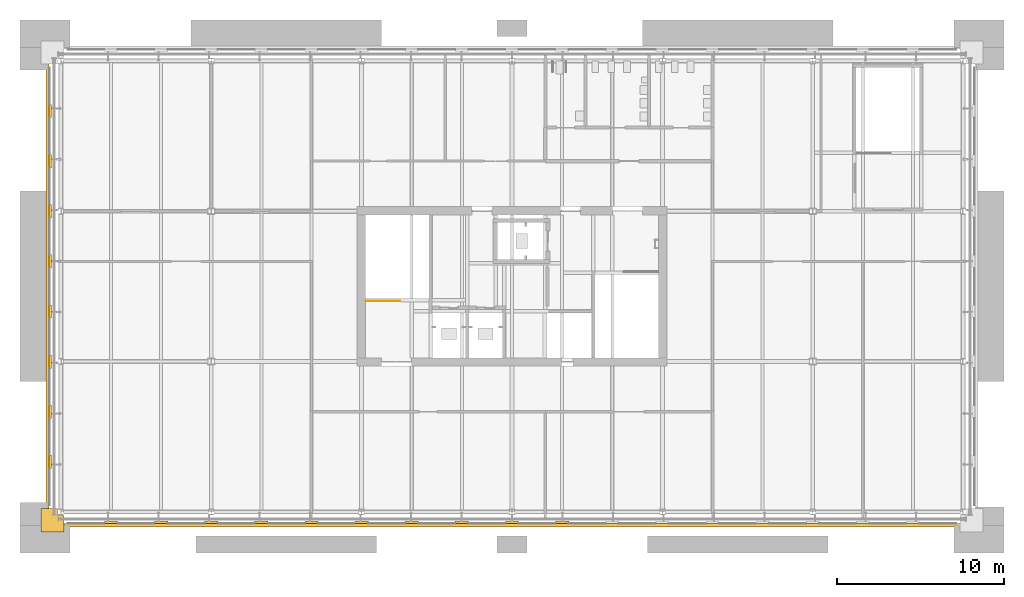
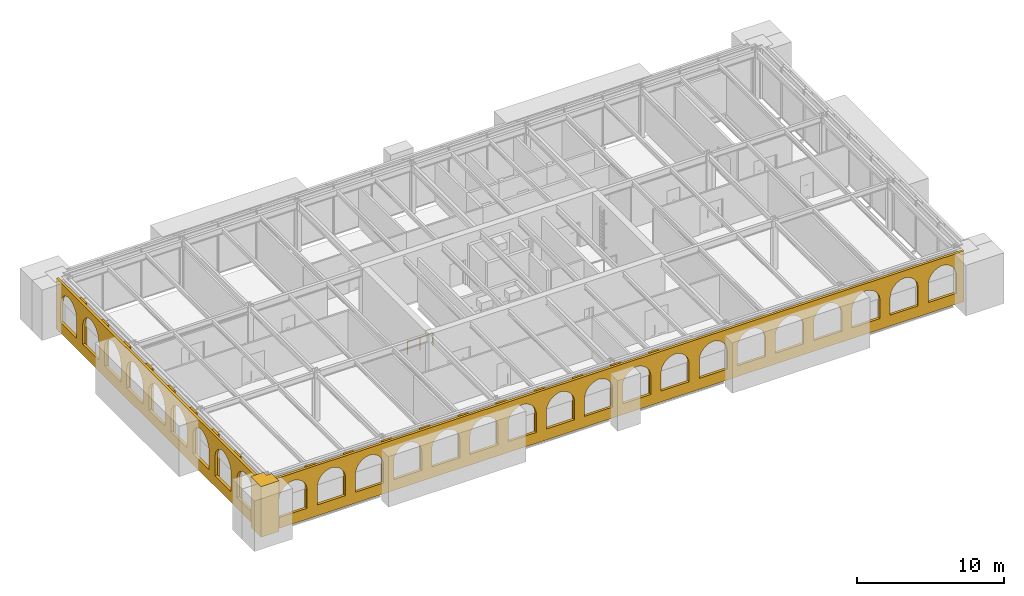
# One storey, part 21 of 24: 19 shading devices, 2 coverings, 1 railing.
"""IFC4 building model written with IfcOpenShell, lengths in metres."""

from ifc_helpers import new_model, si_unit, direction, frame, origin, origin_2d, place, context, subcontext, project, spatial, polyline, rectangle, circle, outline, extrude, material, layer, layer_set, type_object, element, save


model = new_model("IFC4")

# Units and contexts
model_context = context("Model", 3, precision=1e-05, world=origin(), true_north=direction((0.0, 1.0)))
body_context = subcontext(model_context, "Body", "Model", "MODEL_VIEW")
ifc_project = project(units=[si_unit("LENGTHUNIT", "METRE"), si_unit("AREAUNIT", "SQUARE_METRE"), si_unit("VOLUMEUNIT", "CUBIC_METRE"), si_unit("PLANEANGLEUNIT", "RADIAN"), si_unit("MASSUNIT", "GRAM", prefix="KILO")], contexts=[model_context])

# Site, building, storey
site_placement = place(None, origin())
site = spatial("IfcSite", under=ifc_project, at=site_placement, CompositionType="ELEMENT")
building_placement = place(site_placement, origin())
building = spatial("IfcBuilding", under=site, at=building_placement, Name="Baradari Gate Terminus", CompositionType="ELEMENT")
storey_placement = place(building_placement, frame((0.0, 0.0, 32.699951171875)))
storey = spatial("IfcBuildingStorey", under=building, at=storey_placement, Name="L07", CompositionType="ELEMENT", Elevation=32.699951171875)

# Railing
ifc_material_1 = material(Name="Stainless steel 1.4301", Category="steel")
railing_type = type_object("IfcRailingType", Name="Guard GR-1 1100", PredefinedType="GUARDRAIL", material=ifc_material_1)
railing_placement = place(storey_placement, frame((27.27490234375, 129.625, 0.0)))
element("IfcRailing", 1, at=railing_placement, inside=storey, type_object=railing_type, Name="Stair guard ST-T1 at L07 top landing", PredefinedType="GUARDRAIL", context=body_context, shape_type="SweptSolid", body=[
    extrude(circle(Radius=0.02392578125, at=origin_2d()), frame((0.0, 0.0, 1.076171875), z_axis=(1.0, 0.0, 0.0), x_axis=(0.0, 1.0, 0.0)), (0.0, 0.0, 1.0), 2.010009765625),
    extrude(circle(Radius=0.02099609375, at=origin_2d()), origin(), (0.0, 0.0, 1.0), 1.052001953125),
    extrude(circle(Radius=0.02099609375, at=origin_2d()), frame((1.0048828125, 0.0, 0.0)), (0.0, 0.0, 1.0), 1.052001953125),
    extrude(circle(Radius=0.02099609375, at=origin_2d()), frame((2.010009765625, 0.0, 0.0)), (0.0, 0.0, 1.0), 1.052001953125),
])

# Coverings
ifc_material_2 = material(Name="Light ochre laterite masonry", Category="masonry")
ifc_layer = layer(ifc_material_2, 0.199951171875)
ifc_layer_set = layer_set([ifc_layer], Name="Light ochre laterite masonry")
covering_type = type_object("IfcCoveringType", Name="Laterite arcade cladding LC-2 200", PredefinedType="CLADDING", material=ifc_layer_set)
covering_1_placement = place(storey_placement, frame((8.800048828125, 116.199951171875, 0.0), z_axis=(0.0, 0.0, 1.0), x_axis=(1.0, 0.0, 0.0)))
element("IfcCovering", 2, at=covering_1_placement, inside=storey, type_object=covering_type, Name="Laterite arcade cladding LC-2 L07 S face 1", PredefinedType="CLADDING", context=body_context, shape_type="SweptSolid", body=[
    extrude(outline(polyline([(0.0, 0.0), (54.39990234375, 0.0), (54.39990234375, 4.199951171875), (0.0, 4.199951171875), (0.0, 0.0)]), holes=[polyline([(0.681884765625, 2.836669921875), (0.744384765625, 2.971923828125), (0.822998046875, 3.09814453125), (0.91650390625, 3.2138671875), (1.023681640625, 3.317138671875), (1.142822265625, 3.406494140625), (1.272216796875, 3.48046875), (1.409423828125, 3.537841796875), (1.552734375, 3.577880859375), (1.699951171875, 3.60009765625), (1.84716796875, 3.577880859375), (1.990478515625, 3.537841796875), (2.1279296875, 3.48046875), (2.257080078125, 3.406494140625), (2.376220703125, 3.317138671875), (2.4833984375, 3.2138671875), (2.576904296875, 3.09814453125), (2.655517578125, 2.971923828125), (2.718017578125, 2.836669921875), (2.76318359375, 2.695068359375), (2.790771484375, 2.548583984375), (2.800048828125, 2.400146484375), (2.800048828125, 0.900146484375), (0.60009765625, 0.900146484375), (0.60009765625, 2.400146484375), (0.609130859375, 2.548583984375), (0.63671875, 2.695068359375), (0.681884765625, 2.836669921875)]), polyline([(3.681884765625, 2.836669921875), (3.744384765625, 2.971923828125), (3.822998046875, 3.09814453125), (3.91650390625, 3.2138671875), (4.023681640625, 3.317138671875), (4.142822265625, 3.406494140625), (4.272216796875, 3.48046875), (4.409423828125, 3.537841796875), (4.552734375, 3.577880859375), (4.699951171875, 3.60009765625), (4.84716796875, 3.577880859375), (4.990478515625, 3.537841796875), (5.1279296875, 3.48046875), (5.257080078125, 3.406494140625), (5.376220703125, 3.317138671875), (5.4833984375, 3.2138671875), (5.576904296875, 3.09814453125), (5.655517578125, 2.971923828125), (5.718017578125, 2.836669921875), (5.76318359375, 2.695068359375), (5.790771484375, 2.548583984375), (5.800048828125, 2.400146484375), (5.800048828125, 0.900146484375), (3.60009765625, 0.900146484375), (3.60009765625, 2.400146484375), (3.609130859375, 2.548583984375), (3.63671875, 2.695068359375), (3.681884765625, 2.836669921875)]), polyline([(6.681884765625, 2.836669921875), (6.744384765625, 2.971923828125), (6.822998046875, 3.09814453125), (6.91650390625, 3.2138671875), (7.023681640625, 3.317138671875), (7.142822265625, 3.406494140625), (7.272216796875, 3.48046875), (7.409423828125, 3.537841796875), (7.552734375, 3.577880859375), (7.699951171875, 3.60009765625), (7.84716796875, 3.577880859375), (7.990478515625, 3.537841796875), (8.1279296875, 3.48046875), (8.257080078125, 3.406494140625), (8.376220703125, 3.317138671875), (8.4833984375, 3.2138671875), (8.576904296875, 3.09814453125), (8.655517578125, 2.971923828125), (8.718017578125, 2.836669921875), (8.76318359375, 2.695068359375), (8.790771484375, 2.548583984375), (8.800048828125, 2.400146484375), (8.800048828125, 0.900146484375), (6.60009765625, 0.900146484375), (6.60009765625, 2.400146484375), (6.609130859375, 2.548583984375), (6.63671875, 2.695068359375), (6.681884765625, 2.836669921875)]), polyline([(9.681884765625, 2.836669921875), (9.744384765625, 2.971923828125), (9.822998046875, 3.09814453125), (9.91650390625, 3.2138671875), (10.023681640625, 3.317138671875), (10.142822265625, 3.406494140625), (10.272216796875, 3.48046875), (10.409423828125, 3.537841796875), (10.552734375, 3.577880859375), (10.699951171875, 3.60009765625), (10.84716796875, 3.577880859375), (10.990478515625, 3.537841796875), (11.1279296875, 3.48046875), (11.257080078125, 3.406494140625), (11.376220703125, 3.317138671875), (11.4833984375, 3.2138671875), (11.576904296875, 3.09814453125), (11.655517578125, 2.971923828125), (11.718017578125, 2.836669921875), (11.76318359375, 2.695068359375), (11.790771484375, 2.548583984375), (11.800048828125, 2.400146484375), (11.800048828125, 0.900146484375), (9.60009765625, 0.900146484375), (9.60009765625, 2.400146484375), (9.609130859375, 2.548583984375), (9.63671875, 2.695068359375), (9.681884765625, 2.836669921875)]), polyline([(12.681884765625, 2.836669921875), (12.744384765625, 2.971923828125), (12.822998046875, 3.09814453125), (12.91650390625, 3.2138671875), (13.023681640625, 3.317138671875), (13.142822265625, 3.406494140625), (13.272216796875, 3.48046875), (13.409423828125, 3.537841796875), (13.552734375, 3.577880859375), (13.699951171875, 3.60009765625), (13.84716796875, 3.577880859375), (13.990478515625, 3.537841796875), (14.1279296875, 3.48046875), (14.257080078125, 3.406494140625), (14.376220703125, 3.317138671875), (14.4833984375, 3.2138671875), (14.576904296875, 3.09814453125), (14.655517578125, 2.971923828125), (14.718017578125, 2.836669921875), (14.76318359375, 2.695068359375), (14.790771484375, 2.548583984375), (14.800048828125, 2.400146484375), (14.800048828125, 0.900146484375), (12.60009765625, 0.900146484375), (12.60009765625, 2.400146484375), (12.609130859375, 2.548583984375), (12.63671875, 2.695068359375), (12.681884765625, 2.836669921875)]), polyline([(15.681884765625, 2.836669921875), (15.744384765625, 2.971923828125), (15.822998046875, 3.09814453125), (15.91650390625, 3.2138671875), (16.023681640625, 3.317138671875), (16.142822265625, 3.406494140625), (16.272216796875, 3.48046875), (16.409423828125, 3.537841796875), (16.552734375, 3.577880859375), (16.699951171875, 3.60009765625), (16.84716796875, 3.577880859375), (16.990478515625, 3.537841796875), (17.1279296875, 3.48046875), (17.257080078125, 3.406494140625), (17.376220703125, 3.317138671875), (17.4833984375, 3.2138671875), (17.576904296875, 3.09814453125), (17.655517578125, 2.971923828125), (17.718017578125, 2.836669921875), (17.76318359375, 2.695068359375), (17.790771484375, 2.548583984375), (17.800048828125, 2.400146484375), (17.800048828125, 0.900146484375), (15.60009765625, 0.900146484375), (15.60009765625, 2.400146484375), (15.609130859375, 2.548583984375), (15.63671875, 2.695068359375), (15.681884765625, 2.836669921875)]), polyline([(18.681884765625, 2.836669921875), (18.744384765625, 2.971923828125), (18.822998046875, 3.09814453125), (18.91650390625, 3.2138671875), (19.023681640625, 3.317138671875), (19.142822265625, 3.406494140625), (19.272216796875, 3.48046875), (19.409423828125, 3.537841796875), (19.552734375, 3.577880859375), (19.699951171875, 3.60009765625), (19.84716796875, 3.577880859375), (19.990478515625, 3.537841796875), (20.1279296875, 3.48046875), (20.257080078125, 3.406494140625), (20.376220703125, 3.317138671875), (20.4833984375, 3.2138671875), (20.576904296875, 3.09814453125), (20.655517578125, 2.971923828125), (20.718017578125, 2.836669921875), (20.76318359375, 2.695068359375), (20.790771484375, 2.548583984375), (20.800048828125, 2.400146484375), (20.800048828125, 0.900146484375), (18.60009765625, 0.900146484375), (18.60009765625, 2.400146484375), (18.609130859375, 2.548583984375), (18.63671875, 2.695068359375), (18.681884765625, 2.836669921875)]), polyline([(21.744384765625, 2.971923828125), (21.822998046875, 3.09814453125), (21.91650390625, 3.2138671875), (22.023681640625, 3.317138671875), (22.142822265625, 3.406494140625), (22.272216796875, 3.48046875), (22.409423828125, 3.537841796875), (22.552734375, 3.577880859375), (22.699951171875, 3.60009765625), (22.84716796875, 3.577880859375), (22.990478515625, 3.537841796875), (23.1279296875, 3.48046875), (23.257080078125, 3.406494140625), (23.376220703125, 3.317138671875), (23.4833984375, 3.2138671875), (23.576904296875, 3.09814453125), (23.655517578125, 2.971923828125), (23.718017578125, 2.836669921875), (23.76318359375, 2.695068359375), (23.790771484375, 2.548583984375), (23.800048828125, 2.400146484375), (23.800048828125, 0.900146484375), (21.60009765625, 0.900146484375), (21.60009765625, 2.400146484375), (21.609130859375, 2.548583984375), (21.63671875, 2.695068359375), (21.681884765625, 2.836669921875), (21.744384765625, 2.971923828125)]), polyline([(24.744384765625, 2.971923828125), (24.822998046875, 3.09814453125), (24.91650390625, 3.2138671875), (25.023681640625, 3.317138671875), (25.142822265625, 3.406494140625), (25.272216796875, 3.48046875), (25.409423828125, 3.537841796875), (25.552734375, 3.577880859375), (25.699951171875, 3.60009765625), (25.84716796875, 3.577880859375), (25.990478515625, 3.537841796875), (26.1279296875, 3.48046875), (26.257080078125, 3.406494140625), (26.376220703125, 3.317138671875), (26.4833984375, 3.2138671875), (26.576904296875, 3.09814453125), (26.655517578125, 2.971923828125), (26.718017578125, 2.836669921875), (26.76318359375, 2.695068359375), (26.790771484375, 2.548583984375), (26.800048828125, 2.400146484375), (26.800048828125, 0.900146484375), (24.60009765625, 0.900146484375), (24.60009765625, 2.400146484375), (24.609130859375, 2.548583984375), (24.63671875, 2.695068359375), (24.681884765625, 2.836669921875), (24.744384765625, 2.971923828125)]), polyline([(27.681884765625, 2.836669921875), (27.744384765625, 2.971923828125), (27.822998046875, 3.09814453125), (27.91650390625, 3.2138671875), (28.023681640625, 3.317138671875), (28.142822265625, 3.406494140625), (28.272216796875, 3.48046875), (28.409423828125, 3.537841796875), (28.552734375, 3.577880859375), (28.699951171875, 3.60009765625), (28.84716796875, 3.577880859375), (28.990478515625, 3.537841796875), (29.1279296875, 3.48046875), (29.257080078125, 3.406494140625), (29.376220703125, 3.317138671875), (29.4833984375, 3.2138671875), (29.576904296875, 3.09814453125), (29.655517578125, 2.971923828125), (29.718017578125, 2.836669921875), (29.76318359375, 2.695068359375), (29.790771484375, 2.548583984375), (29.800048828125, 2.400146484375), (29.800048828125, 0.900146484375), (27.60009765625, 0.900146484375), (27.60009765625, 2.400146484375), (27.609130859375, 2.548583984375), (27.63671875, 2.695068359375), (27.681884765625, 2.836669921875)]), polyline([(30.681884765625, 2.836669921875), (30.744384765625, 2.971923828125), (30.822998046875, 3.09814453125), (30.91650390625, 3.2138671875), (31.023681640625, 3.317138671875), (31.142822265625, 3.406494140625), (31.272216796875, 3.48046875), (31.409423828125, 3.537841796875), (31.552734375, 3.577880859375), (31.699951171875, 3.60009765625), (31.84716796875, 3.577880859375), (31.990478515625, 3.537841796875), (32.1279296875, 3.48046875), (32.257080078125, 3.406494140625), (32.376220703125, 3.317138671875), (32.4833984375, 3.2138671875), (32.576904296875, 3.09814453125), (32.655517578125, 2.971923828125), (32.718017578125, 2.836669921875), (32.76318359375, 2.695068359375), (32.790771484375, 2.548583984375), (32.800048828125, 2.400146484375), (32.800048828125, 0.900146484375), (30.60009765625, 0.900146484375), (30.60009765625, 2.400146484375), (30.609130859375, 2.548583984375), (30.63671875, 2.695068359375), (30.681884765625, 2.836669921875)]), polyline([(33.681884765625, 2.836669921875), (33.744384765625, 2.971923828125), (33.822998046875, 3.09814453125), (33.91650390625, 3.2138671875), (34.023681640625, 3.317138671875), (34.142822265625, 3.406494140625), (34.272216796875, 3.48046875), (34.409423828125, 3.537841796875), (34.552734375, 3.577880859375), (34.699951171875, 3.60009765625), (34.84716796875, 3.577880859375), (34.990478515625, 3.537841796875), (35.1279296875, 3.48046875), (35.257080078125, 3.406494140625), (35.376220703125, 3.317138671875), (35.4833984375, 3.2138671875), (35.576904296875, 3.09814453125), (35.655517578125, 2.971923828125), (35.718017578125, 2.836669921875), (35.76318359375, 2.695068359375), (35.790771484375, 2.548583984375), (35.800048828125, 2.400146484375), (35.800048828125, 0.900146484375), (33.60009765625, 0.900146484375), (33.60009765625, 2.400146484375), (33.609130859375, 2.548583984375), (33.63671875, 2.695068359375), (33.681884765625, 2.836669921875)]), polyline([(36.681884765625, 2.836669921875), (36.744384765625, 2.971923828125), (36.822998046875, 3.09814453125), (36.91650390625, 3.2138671875), (37.023681640625, 3.317138671875), (37.142822265625, 3.406494140625), (37.272216796875, 3.48046875), (37.409423828125, 3.537841796875), (37.552734375, 3.577880859375), (37.699951171875, 3.60009765625), (37.84716796875, 3.577880859375), (37.990478515625, 3.537841796875), (38.1279296875, 3.48046875), (38.257080078125, 3.406494140625), (38.376220703125, 3.317138671875), (38.4833984375, 3.2138671875), (38.576904296875, 3.09814453125), (38.655517578125, 2.971923828125), (38.718017578125, 2.836669921875), (38.76318359375, 2.695068359375), (38.790771484375, 2.548583984375), (38.800048828125, 2.400146484375), (38.800048828125, 0.900146484375), (36.60009765625, 0.900146484375), (36.60009765625, 2.400146484375), (36.609130859375, 2.548583984375), (36.63671875, 2.695068359375), (36.681884765625, 2.836669921875)]), polyline([(39.681884765625, 2.836669921875), (39.744384765625, 2.971923828125), (39.822998046875, 3.09814453125), (39.91650390625, 3.2138671875), (40.023681640625, 3.317138671875), (40.142822265625, 3.406494140625), (40.272216796875, 3.48046875), (40.409423828125, 3.537841796875), (40.552734375, 3.577880859375), (40.699951171875, 3.60009765625), (40.84716796875, 3.577880859375), (40.990478515625, 3.537841796875), (41.1279296875, 3.48046875), (41.257080078125, 3.406494140625), (41.376220703125, 3.317138671875), (41.4833984375, 3.2138671875), (41.576904296875, 3.09814453125), (41.655517578125, 2.971923828125), (41.718017578125, 2.836669921875), (41.76318359375, 2.695068359375), (41.790771484375, 2.548583984375), (41.800048828125, 2.400146484375), (41.800048828125, 0.900146484375), (39.60009765625, 0.900146484375), (39.60009765625, 2.400146484375), (39.609130859375, 2.548583984375), (39.63671875, 2.695068359375), (39.681884765625, 2.836669921875)]), polyline([(42.681884765625, 2.836669921875), (42.744384765625, 2.971923828125), (42.822998046875, 3.09814453125), (42.91650390625, 3.2138671875), (43.023681640625, 3.317138671875), (43.142822265625, 3.406494140625), (43.272216796875, 3.48046875), (43.409423828125, 3.537841796875), (43.552734375, 3.577880859375), (43.699951171875, 3.60009765625), (43.84716796875, 3.577880859375), (43.990478515625, 3.537841796875), (44.1279296875, 3.48046875), (44.257080078125, 3.406494140625), (44.376220703125, 3.317138671875), (44.4833984375, 3.2138671875), (44.576904296875, 3.09814453125), (44.655517578125, 2.971923828125), (44.718017578125, 2.836669921875), (44.76318359375, 2.695068359375), (44.790771484375, 2.548583984375), (44.800048828125, 2.400146484375), (44.800048828125, 0.900146484375), (42.60009765625, 0.900146484375), (42.60009765625, 2.400146484375), (42.609130859375, 2.548583984375), (42.63671875, 2.695068359375), (42.681884765625, 2.836669921875)]), polyline([(45.681884765625, 2.836669921875), (45.744384765625, 2.971923828125), (45.822998046875, 3.09814453125), (45.91650390625, 3.2138671875), (46.023681640625, 3.317138671875), (46.142822265625, 3.406494140625), (46.272216796875, 3.48046875), (46.409423828125, 3.537841796875), (46.552734375, 3.577880859375), (46.699951171875, 3.60009765625), (46.84716796875, 3.577880859375), (46.990478515625, 3.537841796875), (47.1279296875, 3.48046875), (47.257080078125, 3.406494140625), (47.376220703125, 3.317138671875), (47.4833984375, 3.2138671875), (47.576904296875, 3.09814453125), (47.655517578125, 2.971923828125), (47.718017578125, 2.836669921875), (47.76318359375, 2.695068359375), (47.790771484375, 2.548583984375), (47.800048828125, 2.400146484375), (47.800048828125, 0.900146484375), (45.60009765625, 0.900146484375), (45.60009765625, 2.400146484375), (45.609130859375, 2.548583984375), (45.63671875, 2.695068359375), (45.681884765625, 2.836669921875)]), polyline([(48.744384765625, 2.971923828125), (48.822998046875, 3.09814453125), (48.91650390625, 3.2138671875), (49.023681640625, 3.317138671875), (49.142822265625, 3.406494140625), (49.272216796875, 3.48046875), (49.409423828125, 3.537841796875), (49.552734375, 3.577880859375), (49.699951171875, 3.60009765625), (49.84716796875, 3.577880859375), (49.990478515625, 3.537841796875), (50.1279296875, 3.48046875), (50.257080078125, 3.406494140625), (50.376220703125, 3.317138671875), (50.4833984375, 3.2138671875), (50.576904296875, 3.09814453125), (50.655517578125, 2.971923828125), (50.718017578125, 2.836669921875), (50.76318359375, 2.695068359375), (50.790771484375, 2.548583984375), (50.800048828125, 2.400146484375), (50.800048828125, 0.900146484375), (48.60009765625, 0.900146484375), (48.60009765625, 2.400146484375), (48.609130859375, 2.548583984375), (48.63671875, 2.695068359375), (48.681884765625, 2.836669921875), (48.744384765625, 2.971923828125)]), polyline([(51.744384765625, 2.971923828125), (51.822998046875, 3.09814453125), (51.91650390625, 3.2138671875), (52.023681640625, 3.317138671875), (52.142822265625, 3.406494140625), (52.272216796875, 3.48046875), (52.409423828125, 3.537841796875), (52.552734375, 3.577880859375), (52.699951171875, 3.60009765625), (52.84716796875, 3.577880859375), (52.990478515625, 3.537841796875), (53.1279296875, 3.48046875), (53.257080078125, 3.406494140625), (53.376220703125, 3.317138671875), (53.4833984375, 3.2138671875), (53.576904296875, 3.09814453125), (53.655517578125, 2.971923828125), (53.718017578125, 2.836669921875), (53.76318359375, 2.695068359375), (53.790771484375, 2.548583984375), (53.800048828125, 2.400146484375), (53.800048828125, 0.900146484375), (51.60009765625, 0.900146484375), (51.60009765625, 2.400146484375), (51.609130859375, 2.548583984375), (51.63671875, 2.695068359375), (51.681884765625, 2.836669921875), (51.744384765625, 2.971923828125)])]), frame((0.0, 0.10009765625, 0.0), z_axis=(0.0, -1.0, 0.0), x_axis=(1.0, 0.0, 0.0)), (0.0, 0.0, 1.0), 0.199951171875),
])
covering_2_placement = place(storey_placement, frame((8.199951171875, 144.199951171875, 0.0), z_axis=(0.0, 0.0, 1.0), x_axis=(0.0, -1.0, 0.0)))
element("IfcCovering", 3, at=covering_2_placement, inside=storey, type_object=covering_type, Name="Laterite arcade cladding LC-2 L07 W face 1", PredefinedType="CLADDING", context=body_context, shape_type="SweptSolid", body=[
    extrude(outline(polyline([(0.0, 0.0), (27.39990234375, 0.0), (27.39990234375, 4.199951171875), (0.0, 4.199951171875), (0.0, 0.0)]), holes=[polyline([(0.63671875, 2.695068359375), (0.681884765625, 2.836669921875), (0.744384765625, 2.971923828125), (0.822998046875, 3.09814453125), (0.91650390625, 3.2138671875), (1.023681640625, 3.317138671875), (1.142822265625, 3.406494140625), (1.272216796875, 3.48046875), (1.409423828125, 3.537841796875), (1.552734375, 3.577880859375), (1.699951171875, 3.60009765625), (1.84716796875, 3.577880859375), (1.990478515625, 3.537841796875), (2.1279296875, 3.48046875), (2.257080078125, 3.406494140625), (2.376220703125, 3.317138671875), (2.4833984375, 3.2138671875), (2.576904296875, 3.09814453125), (2.655517578125, 2.971923828125), (2.718017578125, 2.836669921875), (2.76318359375, 2.695068359375), (2.790771484375, 2.548583984375), (2.800048828125, 2.400146484375), (2.800048828125, 0.900146484375), (0.60009765625, 0.900146484375), (0.60009765625, 2.400146484375), (0.609130859375, 2.548583984375), (0.63671875, 2.695068359375)]), polyline([(3.63671875, 2.695068359375), (3.681884765625, 2.836669921875), (3.744384765625, 2.971923828125), (3.822998046875, 3.09814453125), (3.91650390625, 3.2138671875), (4.023681640625, 3.317138671875), (4.142822265625, 3.406494140625), (4.272216796875, 3.48046875), (4.409423828125, 3.537841796875), (4.552734375, 3.577880859375), (4.699951171875, 3.60009765625), (4.84716796875, 3.577880859375), (4.990478515625, 3.537841796875), (5.1279296875, 3.48046875), (5.257080078125, 3.406494140625), (5.376220703125, 3.317138671875), (5.4833984375, 3.2138671875), (5.576904296875, 3.09814453125), (5.655517578125, 2.971923828125), (5.718017578125, 2.836669921875), (5.76318359375, 2.695068359375), (5.790771484375, 2.548583984375), (5.800048828125, 2.400146484375), (5.800048828125, 0.900146484375), (3.60009765625, 0.900146484375), (3.60009765625, 2.400146484375), (3.609130859375, 2.548583984375), (3.63671875, 2.695068359375)]), polyline([(6.63671875, 2.695068359375), (6.681884765625, 2.836669921875), (6.744384765625, 2.971923828125), (6.822998046875, 3.09814453125), (6.91650390625, 3.2138671875), (7.023681640625, 3.317138671875), (7.142822265625, 3.406494140625), (7.272216796875, 3.48046875), (7.409423828125, 3.537841796875), (7.552734375, 3.577880859375), (7.699951171875, 3.60009765625), (7.84716796875, 3.577880859375), (7.990478515625, 3.537841796875), (8.1279296875, 3.48046875), (8.257080078125, 3.406494140625), (8.376220703125, 3.317138671875), (8.4833984375, 3.2138671875), (8.576904296875, 3.09814453125), (8.655517578125, 2.971923828125), (8.718017578125, 2.836669921875), (8.76318359375, 2.695068359375), (8.790771484375, 2.548583984375), (8.800048828125, 2.400146484375), (8.800048828125, 0.900146484375), (6.60009765625, 0.900146484375), (6.60009765625, 2.400146484375), (6.609130859375, 2.548583984375), (6.63671875, 2.695068359375)]), polyline([(9.63671875, 2.695068359375), (9.681884765625, 2.836669921875), (9.744384765625, 2.971923828125), (9.822998046875, 3.09814453125), (9.91650390625, 3.2138671875), (10.023681640625, 3.317138671875), (10.142822265625, 3.406494140625), (10.272216796875, 3.48046875), (10.409423828125, 3.537841796875), (10.552734375, 3.577880859375), (10.699951171875, 3.60009765625), (10.84716796875, 3.577880859375), (10.990478515625, 3.537841796875), (11.1279296875, 3.48046875), (11.257080078125, 3.406494140625), (11.376220703125, 3.317138671875), (11.4833984375, 3.2138671875), (11.576904296875, 3.09814453125), (11.655517578125, 2.971923828125), (11.718017578125, 2.836669921875), (11.76318359375, 2.695068359375), (11.790771484375, 2.548583984375), (11.800048828125, 2.400146484375), (11.800048828125, 0.900146484375), (9.60009765625, 0.900146484375), (9.60009765625, 2.400146484375), (9.609130859375, 2.548583984375), (9.63671875, 2.695068359375)]), polyline([(12.63671875, 2.695068359375), (12.681884765625, 2.836669921875), (12.744384765625, 2.971923828125), (12.822998046875, 3.09814453125), (12.91650390625, 3.2138671875), (13.023681640625, 3.317138671875), (13.142822265625, 3.406494140625), (13.272216796875, 3.48046875), (13.409423828125, 3.537841796875), (13.552734375, 3.577880859375), (13.699951171875, 3.60009765625), (13.84716796875, 3.577880859375), (13.990478515625, 3.537841796875), (14.1279296875, 3.48046875), (14.257080078125, 3.406494140625), (14.376220703125, 3.317138671875), (14.4833984375, 3.2138671875), (14.576904296875, 3.09814453125), (14.655517578125, 2.971923828125), (14.718017578125, 2.836669921875), (14.76318359375, 2.695068359375), (14.790771484375, 2.548583984375), (14.800048828125, 2.400146484375), (14.800048828125, 0.900146484375), (12.60009765625, 0.900146484375), (12.60009765625, 2.400146484375), (12.609130859375, 2.548583984375), (12.63671875, 2.695068359375)]), polyline([(15.63671875, 2.695068359375), (15.681884765625, 2.836669921875), (15.744384765625, 2.971923828125), (15.822998046875, 3.09814453125), (15.91650390625, 3.2138671875), (16.023681640625, 3.317138671875), (16.142822265625, 3.406494140625), (16.272216796875, 3.48046875), (16.409423828125, 3.537841796875), (16.552734375, 3.577880859375), (16.699951171875, 3.60009765625), (16.84716796875, 3.577880859375), (16.990478515625, 3.537841796875), (17.1279296875, 3.48046875), (17.257080078125, 3.406494140625), (17.376220703125, 3.317138671875), (17.4833984375, 3.2138671875), (17.576904296875, 3.09814453125), (17.655517578125, 2.971923828125), (17.718017578125, 2.836669921875), (17.76318359375, 2.695068359375), (17.790771484375, 2.548583984375), (17.800048828125, 2.400146484375), (17.800048828125, 0.900146484375), (15.60009765625, 0.900146484375), (15.60009765625, 2.400146484375), (15.609130859375, 2.548583984375), (15.63671875, 2.695068359375)]), polyline([(18.63671875, 2.695068359375), (18.681884765625, 2.836669921875), (18.744384765625, 2.971923828125), (18.822998046875, 3.09814453125), (18.91650390625, 3.2138671875), (19.023681640625, 3.317138671875), (19.142822265625, 3.406494140625), (19.272216796875, 3.48046875), (19.409423828125, 3.537841796875), (19.552734375, 3.577880859375), (19.699951171875, 3.60009765625), (19.84716796875, 3.577880859375), (19.990478515625, 3.537841796875), (20.1279296875, 3.48046875), (20.257080078125, 3.406494140625), (20.376220703125, 3.317138671875), (20.4833984375, 3.2138671875), (20.576904296875, 3.09814453125), (20.655517578125, 2.971923828125), (20.718017578125, 2.836669921875), (20.76318359375, 2.695068359375), (20.790771484375, 2.548583984375), (20.800048828125, 2.400146484375), (20.800048828125, 0.900146484375), (18.60009765625, 0.900146484375), (18.60009765625, 2.400146484375), (18.609130859375, 2.548583984375), (18.63671875, 2.695068359375)]), polyline([(21.681884765625, 2.836669921875), (21.744384765625, 2.971923828125), (21.822998046875, 3.09814453125), (21.91650390625, 3.2138671875), (22.023681640625, 3.317138671875), (22.142822265625, 3.406494140625), (22.272216796875, 3.48046875), (22.409423828125, 3.537841796875), (22.552734375, 3.577880859375), (22.699951171875, 3.60009765625), (22.84716796875, 3.577880859375), (22.990478515625, 3.537841796875), (23.1279296875, 3.48046875), (23.257080078125, 3.406494140625), (23.376220703125, 3.317138671875), (23.4833984375, 3.2138671875), (23.576904296875, 3.09814453125), (23.655517578125, 2.971923828125), (23.718017578125, 2.836669921875), (23.76318359375, 2.695068359375), (23.790771484375, 2.548583984375), (23.800048828125, 2.400146484375), (23.800048828125, 0.900146484375), (21.60009765625, 0.900146484375), (21.60009765625, 2.400146484375), (21.609130859375, 2.548583984375), (21.63671875, 2.695068359375), (21.681884765625, 2.836669921875)]), polyline([(24.681884765625, 2.836669921875), (24.744384765625, 2.971923828125), (24.822998046875, 3.09814453125), (24.91650390625, 3.2138671875), (25.023681640625, 3.317138671875), (25.142822265625, 3.406494140625), (25.272216796875, 3.48046875), (25.409423828125, 3.537841796875), (25.552734375, 3.577880859375), (25.699951171875, 3.60009765625), (25.84716796875, 3.577880859375), (25.990478515625, 3.537841796875), (26.1279296875, 3.48046875), (26.257080078125, 3.406494140625), (26.376220703125, 3.317138671875), (26.4833984375, 3.2138671875), (26.576904296875, 3.09814453125), (26.655517578125, 2.971923828125), (26.718017578125, 2.836669921875), (26.76318359375, 2.695068359375), (26.790771484375, 2.548583984375), (26.800048828125, 2.400146484375), (26.800048828125, 0.900146484375), (24.60009765625, 0.900146484375), (24.60009765625, 2.400146484375), (24.609130859375, 2.548583984375), (24.63671875, 2.695068359375), (24.681884765625, 2.836669921875)])]), frame((0.0, 0.10009765625, 0.0), z_axis=(0.0, -1.0, 0.0), x_axis=(1.0, 0.0, 0.0)), (0.0, 0.0, 1.0), 0.199951171875),
])

# Shading devices
ifc_material_3 = material(Name="Light ochre laterite masonry", Category="masonry")
shading_device_type_1 = type_object("IfcShadingDeviceType", Name="Laterite arcade pier TP-4 800x195", PredefinedType="SHUTTER", material=ifc_material_3)
for number, where, z_axis, x_axis, name in (
    (4, (12.0, 116.37744140625, 0.0), (0.0, 0.0, 1.0), (1.0, 0.0, 0.0), "Arcade pier TP-4 L07 S face"),
    (5, (15.0, 116.37744140625, 0.0), (0.0, 0.0, 1.0), (1.0, 0.0, 0.0), "Arcade pier TP-4 L07 S face"),
    (6, (18.0, 116.37744140625, 0.0), (0.0, 0.0, 1.0), (1.0, 0.0, 0.0), "Arcade pier TP-4 L07 S face"),
    (7, (21.0, 116.37744140625, 0.0), (0.0, 0.0, 1.0), (1.0, 0.0, 0.0), "Arcade pier TP-4 L07 S face"),
    (8, (24.0, 116.37744140625, 0.0), (0.0, 0.0, 1.0), (1.0, 0.0, 0.0), "Arcade pier TP-4 L07 S face"),
    (9, (27.0, 116.37744140625, 0.0), (0.0, 0.0, 1.0), (1.0, 0.0, 0.0), "Arcade pier TP-4 L07 S face"),
    (10, (30.0, 116.37744140625, 0.0), (0.0, 0.0, 1.0), (1.0, 0.0, 0.0), "Arcade pier TP-4 L07 S face"),
    (11, (33.0, 116.37744140625, 0.0), (0.0, 0.0, 1.0), (1.0, 0.0, 0.0), "Arcade pier TP-4 L07 S face"),
    (12, (36.0, 116.37744140625, 0.0), (0.0, 0.0, 1.0), (1.0, 0.0, 0.0), "Arcade pier TP-4 L07 S face"),
    (13, (39.0, 116.37744140625, 0.0), (0.0, 0.0, 1.0), (1.0, 0.0, 0.0), "Arcade pier TP-4 L07 S face"),
    (14, (8.37744140625, 141.0, 0.0), (0.0, 0.0, 1.0), (0.0, -1.0, 0.0), "Arcade pier TP-4 L07 W face"),
    (15, (8.37744140625, 138.0, 0.0), (0.0, 0.0, 1.0), (0.0, -1.0, 0.0), "Arcade pier TP-4 L07 W face"),
    (16, (8.37744140625, 135.0, 0.0), (0.0, 0.0, 1.0), (0.0, -1.0, 0.0), "Arcade pier TP-4 L07 W face"),
    (17, (8.37744140625, 132.0, 0.0), (0.0, 0.0, 1.0), (0.0, -1.0, 0.0), "Arcade pier TP-4 L07 W face"),
    (18, (8.37744140625, 129.0, 0.0), (0.0, 0.0, 1.0), (0.0, -1.0, 0.0), "Arcade pier TP-4 L07 W face"),
    (19, (8.37744140625, 126.0, 0.0), (0.0, 0.0, 1.0), (0.0, -1.0, 0.0), "Arcade pier TP-4 L07 W face"),
    (20, (8.37744140625, 123.0, 0.0), (0.0, 0.0, 1.0), (0.0, -1.0, 0.0), "Arcade pier TP-4 L07 W face"),
    (21, (8.37744140625, 120.0, 0.0), (0.0, 0.0, 1.0), (0.0, -1.0, 0.0), "Arcade pier TP-4 L07 W face"),
):
    element("IfcShadingDevice", number, at=place(storey_placement, frame(where, z_axis=z_axis, x_axis=x_axis)), inside=storey, type_object=shading_device_type_1, Name=name, PredefinedType="SHUTTER", context=body_context, shape_type="SweptSolid", body=[
        extrude(rectangle(XDim=0.800048828125, YDim=0.155029296875, at=origin_2d()), origin(), (0.0, 0.0, 1.0), 4.199951171875),
    ])
ifc_material_4 = material(Name="Light ochre laterite masonry", Category="masonry")
shading_device_type_2 = type_object("IfcShadingDeviceType", Name="Laterite corner pier QP-1 1000x1000", PredefinedType="SHUTTER", material=ifc_material_4)
shading_device_placement = place(storey_placement, origin())
element("IfcShadingDevice", 22, at=shading_device_placement, inside=storey, type_object=shading_device_type_2, Name="Corner pier QP-1 L07 at grid 9/117", PredefinedType="SHUTTER", context=body_context, shape_type="SweptSolid", body=[
    extrude(outline(polyline([(9.199951171875, 116.800048828125), (9.199951171875, 115.800048828125), (7.800048828125, 115.800048828125), (7.800048828125, 117.199951171875), (8.800048828125, 117.199951171875), (8.800048828125, 116.800048828125), (9.199951171875, 116.800048828125)])), origin(), (0.0, 0.0, 1.0), 4.199951171875),
])

save(model, "model.ifc")
